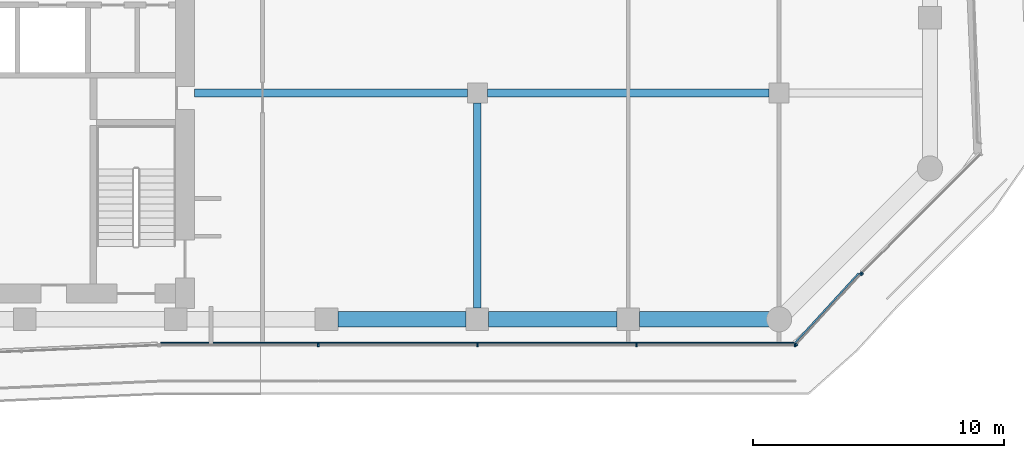
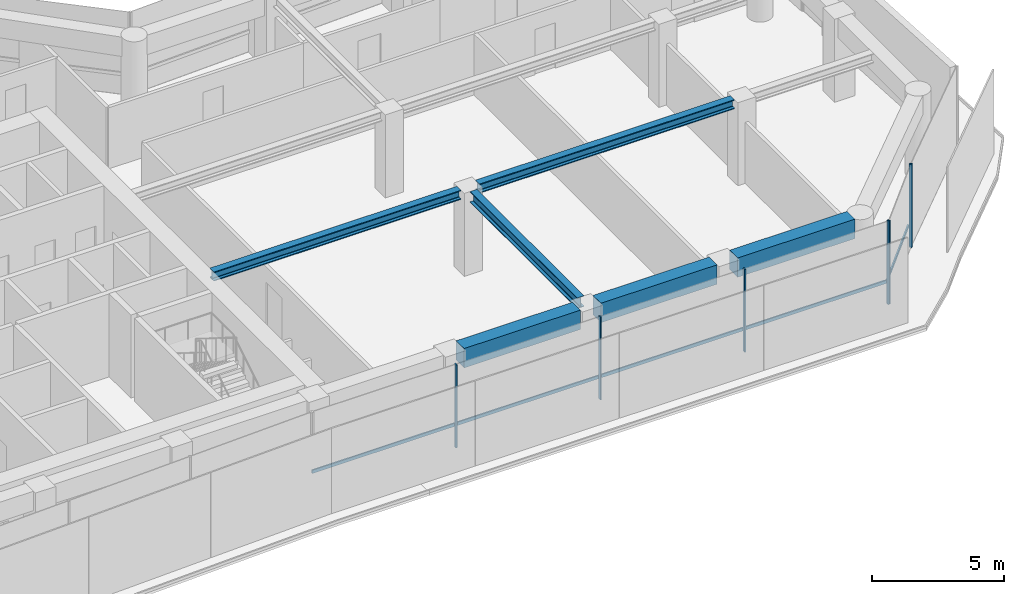
# One storey, part 6 of 24: 9 members, 6 beams, 3 elements without a shape of their own.
"""IFC4 building model written with IfcOpenShell, lengths in metres."""

from ifc_helpers import new_model, si_unit, direction, frame, origin, origin_2d, place, context, subcontext, project, spatial, rectangle, i_section, extrude, material, layer, layer_set, material_profile, profile_set, type_object, element, aggregate, save


model = new_model("IFC4")

# Units and contexts
model_context = context("Model", 3, precision=1e-05, world=origin(), true_north=direction((0.0, 1.0)))
body_context = subcontext(model_context, "Body", "Model", "MODEL_VIEW")
ifc_project = project(units=[si_unit("LENGTHUNIT", "METRE"), si_unit("AREAUNIT", "SQUARE_METRE"), si_unit("VOLUMEUNIT", "CUBIC_METRE"), si_unit("PLANEANGLEUNIT", "RADIAN"), si_unit("MASSUNIT", "GRAM", prefix="KILO")], contexts=[model_context])

# Site, building, storey
site_placement = place(None, origin())
site = spatial("IfcSite", under=ifc_project, at=site_placement, CompositionType="ELEMENT")
building_placement = place(site_placement, origin())
building = spatial("IfcBuilding", under=site, at=building_placement, Name="Welwitschia Terrace Campus", CompositionType="ELEMENT")
storey_placement = place(building_placement, frame((0.0, 0.0, 100.39990234375)))
storey = spatial("IfcBuildingStorey", under=building, at=storey_placement, Name="L22", CompositionType="ELEMENT", Elevation=100.39990234375)

# Beams
ifc_material_1 = material(Name="Steel S355", Category="steel")
ifc_material_profile_1 = material_profile(ifc_material_1, i_section(OverallWidth=0.306884765625, OverallDepth=0.431884765625, WebThickness=0.02099609375, FlangeThickness=0.0400390625, FilletRadius=0.027099609375, at=origin_2d()))
ifc_profile_set_1 = profile_set([ifc_material_profile_1], Name="Steel S355")
beam_type_1 = type_object("IfcBeamType", Name="Interior girder HE 400 M", PredefinedType="BEAM", material=ifc_profile_set_1)
beam_1_placement = place(storey_placement, frame((24.7509765625, 13.0, 3.634033203125), z_axis=(1.0, 0.0, 0.0), x_axis=(0.0, 1.0, 0.0)))
element("IfcBeam", 1, at=beam_1_placement, inside=storey, type_object=beam_type_1, Name="Girder GB3", PredefinedType="BEAM", context=body_context, shape_type="SweptSolid", body=[
    extrude(i_section(OverallWidth=0.306884765625, OverallDepth=0.431884765625, WebThickness=0.02099609375, FlangeThickness=0.0400390625, FilletRadius=0.027099609375, at=origin_2d()), origin(), (0.0, 0.0, 1.0), 10.8486328125),
])
beam_2_placement = place(storey_placement, frame((36.400390625, 13.0, 3.634033203125), z_axis=(1.0, 0.0, 0.0), x_axis=(0.0, 1.0, 0.0)))
element("IfcBeam", 2, at=beam_2_placement, inside=storey, type_object=beam_type_1, Name="Girder GB3", PredefinedType="BEAM", context=body_context, shape_type="SweptSolid", body=[
    extrude(i_section(OverallWidth=0.306884765625, OverallDepth=0.431884765625, WebThickness=0.02099609375, FlangeThickness=0.0400390625, FilletRadius=0.027099609375, at=origin_2d()), origin(), (0.0, 0.0, 1.0), 11.19921875),
])

# Curtain wall, members
ifc_material_2 = material(Name="Bronze anodised aluminium", Category="aluminium")
ifc_layer = layer(ifc_material_2, 0.1201171875)
ifc_layer_set = layer_set([ifc_layer], Name="Bronze anodised aluminium")
curtain_wall_type = type_object("IfcCurtainWallType", Name="Curtain wall CW2 tower 6000", PredefinedType="NOTDEFINED", material=ifc_layer_set)
curtain_wall_1_placement = place(storey_placement, origin())
curtain_wall_1 = element("IfcCurtainWall", 3, at=curtain_wall_1_placement, inside=storey, type_object=curtain_wall_type, Name="CW L22.2.0", PredefinedType="NOTDEFINED")
ifc_material_3 = material(Name="Bronze anodised aluminium", Category="aluminium")
ifc_material_profile_2 = material_profile(ifc_material_3, rectangle(XDim=0.1201171875, YDim=0.06005859375, at=origin_2d()))
ifc_profile_set_2 = profile_set([ifc_material_profile_2], Name="Bronze anodised aluminium")
member_type_1 = type_object("IfcMemberType", Name="Mullion 60x120", PredefinedType="MULLION", material=ifc_profile_set_2)
member_1_placement = place(storey_placement, frame((29.669677734375, 2.969970703125, 0.0), z_axis=(0.0, 0.0, 1.0), x_axis=(0.0, 1.0, 0.0)))
member_1 = element("IfcMember", 4, at=member_1_placement, type_object=member_type_1, Name="Mullion L22.2.0.1", PredefinedType="MULLION", context=body_context, shape_type="SweptSolid", body=[
    extrude(rectangle(XDim=0.1201171875, YDim=0.06005859375, at=origin_2d()), origin(), (0.0, 0.0, 1.0), 3.85009765625),
])
member_2_placement = place(storey_placement, frame((36.001220703125, 2.969970703125, 0.0), z_axis=(0.0, 0.0, 1.0), x_axis=(0.0, 1.0, 0.0)))
member_2 = element("IfcMember", 5, at=member_2_placement, type_object=member_type_1, Name="Mullion L22.2.0.2", PredefinedType="MULLION", context=body_context, shape_type="SweptSolid", body=[
    extrude(rectangle(XDim=0.1201171875, YDim=0.06005859375, at=origin_2d()), origin(), (0.0, 0.0, 1.0), 3.85009765625),
])
member_3_placement = place(storey_placement, frame((42.332763671875, 2.969970703125, 0.0), z_axis=(0.0, 0.0, 1.0), x_axis=(0.0, 1.0, 0.0)))
member_3 = element("IfcMember", 6, at=member_3_placement, type_object=member_type_1, Name="Mullion L22.2.0.3", PredefinedType="MULLION", context=body_context, shape_type="SweptSolid", body=[
    extrude(rectangle(XDim=0.1201171875, YDim=0.06005859375, at=origin_2d()), origin(), (0.0, 0.0, 1.0), 3.85009765625),
])
member_4_placement = place(storey_placement, frame((48.634521484375, 2.969970703125, 0.0), z_axis=(0.0, 0.0, 1.0), x_axis=(0.0, 1.0, 0.0)))
member_4 = element("IfcMember", 7, at=member_4_placement, type_object=member_type_1, Name="Mullion L22.2.0.4", PredefinedType="MULLION", context=body_context, shape_type="SweptSolid", body=[
    extrude(rectangle(XDim=0.1201171875, YDim=0.06005859375, at=origin_2d()), origin(), (0.0, 0.0, 1.0), 3.85009765625),
])

curtain_wall_2_placement = place(storey_placement, origin())
curtain_wall_2 = element("IfcCurtainWall", 8, at=curtain_wall_2_placement, inside=storey, type_object=curtain_wall_type, Name="CW L22.3.0", PredefinedType="NOTDEFINED")
member_5_placement = place(storey_placement, frame((48.6845703125, 2.9921875, 0.0), z_axis=(0.0, 0.0, 1.0), x_axis=(-0.73727733681, 0.675590207616, 0.0)))
member_5 = element("IfcMember", 9, at=member_5_placement, type_object=member_type_1, Name="Mullion L22.3.0.0", PredefinedType="MULLION", context=body_context, shape_type="SweptSolid", body=[
    extrude(rectangle(XDim=0.1201171875, YDim=0.06005859375, at=origin_2d()), origin(), (0.0, 0.0, 1.0), 3.85009765625),
])
member_6_placement = place(storey_placement, frame((51.248046875, 5.78955078125, 0.0), z_axis=(0.0, 0.0, 1.0), x_axis=(-0.73727733681, 0.675590207616, 0.0)))
member_6 = element("IfcMember", 10, at=member_6_placement, type_object=member_type_1, Name="Mullion L22.3.0.1", PredefinedType="MULLION", context=body_context, shape_type="SweptSolid", body=[
    extrude(rectangle(XDim=0.1201171875, YDim=0.06005859375, at=origin_2d()), origin(), (0.0, 0.0, 1.0), 3.85009765625),
])

# Curtain wall, member
curtain_wall_3_placement = place(storey_placement, origin())
curtain_wall_3 = element("IfcCurtainWall", 11, at=curtain_wall_3_placement, inside=storey, type_object=curtain_wall_type, Name="CW L22.4.0", PredefinedType="NOTDEFINED")
member_7_placement = place(storey_placement, frame((51.28955078125, 5.8330078125, 0.0), z_axis=(0.0, 0.0, 1.0), x_axis=(-0.707106781187, 0.707106781187, 0.0)))
member_7 = element("IfcMember", 12, at=member_7_placement, type_object=member_type_1, Name="Mullion L22.4.0.0", PredefinedType="MULLION", context=body_context, shape_type="SweptSolid", body=[
    extrude(rectangle(XDim=0.1201171875, YDim=0.06005859375, at=origin_2d()), origin(), (0.0, 0.0, 1.0), 3.85009765625),
])
aggregate(curtain_wall_3, [member_7])

# Beams
ifc_material_4 = material(Name="Steel S355", Category="steel")
ifc_material_profile_3 = material_profile(ifc_material_4, i_section(OverallWidth=0.300048828125, OverallDepth=0.5, WebThickness=0.014404296875, FlangeThickness=0.028076171875, FilletRadius=0.027099609375, at=origin_2d()))
ifc_profile_set_3 = profile_set([ifc_material_profile_3], Name="Steel S355")
beam_type_2 = type_object("IfcBeamType", Name="Primary beam HE 500 B", PredefinedType="BEAM", material=ifc_profile_set_3)
beam_3_placement = place(storey_placement, frame((36.0, 4.450439453125, 3.60009765625), z_axis=(0.0, 1.0, 0.0), x_axis=(-1.0, 0.0, 0.0)))
element("IfcBeam", 13, at=beam_3_placement, inside=storey, type_object=beam_type_2, Name="Primary beam PB3", PredefinedType="BEAM", context=body_context, shape_type="SweptSolid", body=[
    extrude(i_section(OverallWidth=0.300048828125, OverallDepth=0.5, WebThickness=0.014404296875, FlangeThickness=0.028076171875, FilletRadius=0.027099609375, at=origin_2d()), origin(), (0.0, 0.0, 1.0), 8.149169921875),
])
ifc_material_5 = material(Name="Concrete C60/75", Category="concrete")
ifc_material_profile_4 = material_profile(ifc_material_5, rectangle(XDim=0.60009765625, YDim=0.89990234375, at=origin_2d()))
ifc_profile_set_4 = profile_set([ifc_material_profile_4], Name="Concrete C60/75")
beam_type_3 = type_object("IfcBeamType", Name="Ring spandrel 600x900", PredefinedType="SPANDREL", material=ifc_profile_set_4)
for number, where, z_axis, x_axis, name in (
    (14, (30.450439453125, 4.0, 3.400146484375), (1.0, 0.0, 0.0), (0.0, 1.0, 0.0), "Spandrel SP2"),
    (15, (36.450439453125, 4.0, 3.400146484375), (1.0, 0.0, 0.0), (0.0, 1.0, 0.0), "Spandrel SP2"),
):
    element("IfcBeam", number, at=place(storey_placement, frame(where, z_axis=z_axis, x_axis=x_axis)), inside=storey, type_object=beam_type_3, Name=name, PredefinedType="SPANDREL", context=body_context, shape_type="SweptSolid", body=[
        extrude(rectangle(XDim=0.60009765625, YDim=0.89990234375, at=origin_2d()), origin(), (0.0, 0.0, 1.0), 5.09912109375),
    ])
beam_4_placement = place(storey_placement, frame((42.450439453125, 4.0, 3.400146484375), z_axis=(1.0, 0.0, 0.0), x_axis=(0.0, 1.0, 0.0)))
element("IfcBeam", 16, at=beam_4_placement, inside=storey, type_object=beam_type_3, Name="Spandrel SP2", PredefinedType="SPANDREL", context=body_context, shape_type="SweptSolid", body=[
    extrude(rectangle(XDim=0.60009765625, YDim=0.89990234375, at=origin_2d()), origin(), (0.0, 0.0, 1.0), 5.149169921875),
])

# Member
ifc_material_6 = material(Name="Bronze anodised aluminium", Category="aluminium")
ifc_material_profile_5 = material_profile(ifc_material_6, rectangle(XDim=0.06005859375, YDim=0.14990234375, at=origin_2d()))
ifc_profile_set_5 = profile_set([ifc_material_profile_5], Name="Bronze anodised aluminium")
member_type_2 = type_object("IfcMemberType", Name="Transom 60x150", PredefinedType="USERDEFINED", material=ifc_profile_set_5)
member_8_placement = place(storey_placement, frame((23.398193359375, 3.06005859375, 1.0), z_axis=(1.0, 0.0, 0.0), x_axis=(0.0, 1.0, 0.0)))
member_8 = element("IfcMember", 17, at=member_8_placement, type_object=member_type_2, Name="Transom L22.2.0", ObjectType="TRANSOM", PredefinedType="USERDEFINED", context=body_context, shape_type="SweptSolid", body=[
    extrude(rectangle(XDim=0.06005859375, YDim=0.14990234375, at=origin_2d()), origin(), (0.0, 0.0, 1.0), 25.206298828125),
])

aggregate(curtain_wall_1, [member_1, member_2, member_3, member_4, member_8])

member_9_placement = place(storey_placement, frame((48.638671875, 3.074951171875, 1.0), z_axis=(0.675541058418, 0.737322370738, 0.0), x_axis=(-0.737322370738, 0.675541058418, 0.0)))
member_9 = element("IfcMember", 18, at=member_9_placement, type_object=member_type_2, Name="Transom L22.3.0", ObjectType="TRANSOM", PredefinedType="USERDEFINED", context=body_context, shape_type="SweptSolid", body=[
    extrude(rectangle(XDim=0.06005859375, YDim=0.14990234375, at=origin_2d()), origin(), (0.0, 0.0, 1.0), 3.734375),
])

aggregate(curtain_wall_2, [member_5, member_6, member_9])

save(model, "model.ifc")
